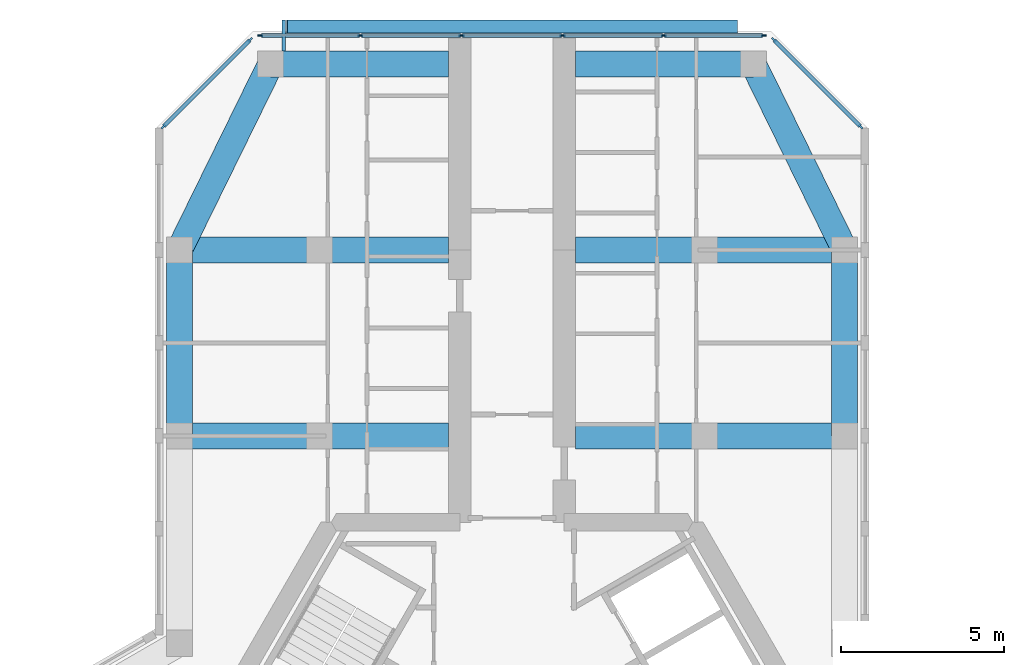
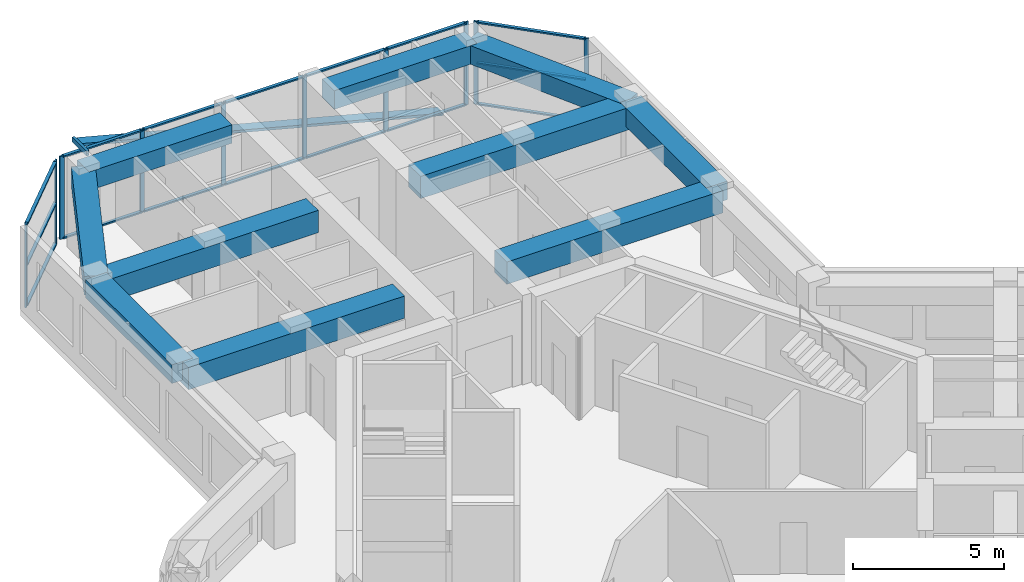
# One storey, part 5 of 14: 28 members, 10 beams, 3 elements without a shape of their own.
"""IFC4 building model written with IfcOpenShell, lengths in metres."""

from ifc_helpers import new_model, si_unit, direction, frame, origin, origin_2d, place, context, subcontext, project, spatial, rectangle, hollow_rectangle, extrude, material, material_profile, profile_set, type_object, element, aggregate, save


model = new_model("IFC4")

# Units and contexts
model_context = context("Model", 3, precision=1e-05, world=origin(), true_north=direction((0.0, 1.0)))
body_context = subcontext(model_context, "Body", "Model", "MODEL_VIEW")
ifc_project = project(units=[si_unit("LENGTHUNIT", "METRE"), si_unit("AREAUNIT", "SQUARE_METRE"), si_unit("VOLUMEUNIT", "CUBIC_METRE"), si_unit("PLANEANGLEUNIT", "RADIAN"), si_unit("MASSUNIT", "GRAM", prefix="KILO")], contexts=[model_context])

# Site, building, storey
site_placement = place(None, origin())
site = spatial("IfcSite", under=ifc_project, at=site_placement, CompositionType="ELEMENT")
building_placement = place(site_placement, origin())
building = spatial("IfcBuilding", under=site, at=building_placement, Name="Kosmar Iwan School Tower", CompositionType="ELEMENT")
storey_placement = place(building_placement, frame((0.0, 0.0, 271.0)))
storey = spatial("IfcBuildingStorey", under=building, at=storey_placement, Name="L68", CompositionType="ELEMENT", Elevation=271.0)

# Members
ifc_material_1 = material(Name="Black anodised aluminium", Category="aluminium")
ifc_material_profile_1 = material_profile(ifc_material_1, rectangle(XDim=0.10009765625, YDim=0.39990234375, at=origin_2d()), Name="FIN 100x400")
ifc_profile_set_1 = profile_set([ifc_material_profile_1], Name="Black anodised aluminium")
member_type_1 = type_object("IfcMemberType", Name="Diagonal fin 100x400", PredefinedType="USERDEFINED", material=ifc_profile_set_1)
member_1_placement = place(storey_placement, frame((6.898193359375, 24.800048828125, -0.14990234375), z_axis=(-0.967603633438, 0.0, 0.252474174041), x_axis=(0.252474174041, 0.0, 0.967603633438)))
element("IfcMember", 1, at=member_1_placement, inside=storey, type_object=member_type_1, Name="Diagonal fin L68-F08", ObjectType="FIN", PredefinedType="USERDEFINED", context=body_context, shape_type="SweptSolid", body=[
    extrude(rectangle(XDim=0.10009765625, YDim=0.39990234375, at=origin_2d()), origin(), (0.0, 0.0, 1.0), 14.25830078125),
])
ifc_material_2 = material(Name="Steel S355", Category="steel")
ifc_material_profile_2 = material_profile(ifc_material_2, hollow_rectangle(XDim=0.10009765625, YDim=0.199951171875, WallThickness=0.008056640625, at=origin_2d()), Name="RHS 200x100x8")
ifc_profile_set_2 = profile_set([ifc_material_profile_2], Name="Steel S355")
member_type_2 = type_object("IfcMemberType", Name="Fin bracket RHS 200x100", PredefinedType="USERDEFINED", material=ifc_profile_set_2)
member_2_placement = place(storey_placement, frame((-7.0, 24.050048828125, 3.47509765625), z_axis=(0.0, 1.0, 0.0), x_axis=(-1.0, 0.0, 0.0)))
element("IfcMember", 2, at=member_2_placement, inside=storey, type_object=member_type_2, Name="Fin bracket L69", ObjectType="FIN BRACKET", PredefinedType="USERDEFINED", context=body_context, shape_type="SweptSolid", body=[
    extrude(hollow_rectangle(XDim=0.10009765625, YDim=0.199951171875, WallThickness=0.008056640625, at=origin_2d()), origin(), (0.0, 0.0, 1.0), 0.949951171875),
])

# Curtain wall, members
ifc_material_3 = material(Name="Dark glass in black aluminium frame", Category="aluminium")
curtain_wall_type_1 = type_object("IfcCurtainWallType", Name="Chamfer curtain wall dark glass", PredefinedType="USERDEFINED", material=ifc_material_3)
curtain_wall_1_placement = place(storey_placement, origin())
curtain_wall_1 = element("IfcCurtainWall", 3, at=curtain_wall_1_placement, inside=storey, type_object=curtain_wall_type_1, Name="Curtain wall L68-F07", ObjectType="FACETED CURTAIN WALL", PredefinedType="USERDEFINED")
ifc_material_4 = material(Name="Black anodised aluminium", Category="aluminium")
ifc_material_profile_3 = material_profile(ifc_material_4, rectangle(XDim=0.06005859375, YDim=0.159912109375, at=origin_2d()), Name="MULLION 60x160")
ifc_profile_set_3 = profile_set([ifc_material_profile_3], Name="Black anodised aluminium")
member_type_3 = type_object("IfcMemberType", Name="Mullion 60x160", PredefinedType="MULLION", material=ifc_profile_set_3)
member_3_placement = place(storey_placement, frame((10.69775390625, 21.7255859375, 0.0), z_axis=(0.0, 0.0, 1.0), x_axis=(-0.707106781187, -0.707106781187, 0.0)))
member_3 = element("IfcMember", 4, at=member_3_placement, type_object=member_type_3, Name="CW2 mullion 1", PredefinedType="MULLION", context=body_context, shape_type="SweptSolid", body=[
    extrude(rectangle(XDim=0.06005859375, YDim=0.159912109375, at=origin_2d()), origin(), (0.0, 0.0, 1.0), 3.35009765625),
])
member_4_placement = place(storey_placement, frame((8.025390625, 24.397705078125, 0.0), z_axis=(0.0, 0.0, 1.0), x_axis=(-0.707106781187, -0.707106781187, 0.0)))
member_4 = element("IfcMember", 5, at=member_4_placement, type_object=member_type_3, Name="CW2 mullion 2", PredefinedType="MULLION", context=body_context, shape_type="SweptSolid", body=[
    extrude(rectangle(XDim=0.06005859375, YDim=0.159912109375, at=origin_2d()), origin(), (0.0, 0.0, 1.0), 3.35009765625),
])

ifc_material_5 = material(Name="Dark glass in black aluminium frame", Category="aluminium")
curtain_wall_type_2 = type_object("IfcCurtainWallType", Name="Tower curtain wall dark glass", PredefinedType="USERDEFINED", material=ifc_material_5)
curtain_wall_2_placement = place(storey_placement, origin())
curtain_wall_2 = element("IfcCurtainWall", 6, at=curtain_wall_2_placement, inside=storey, type_object=curtain_wall_type_2, Name="Curtain wall L68-F08", ObjectType="UNITISED CURTAIN WALL", PredefinedType="USERDEFINED")
member_5_placement = place(storey_placement, frame((7.71826171875, 24.52490234375, 0.0), z_axis=(0.0, 0.0, 1.0), x_axis=(0.0, -1.0, 0.0)))
member_5 = element("IfcMember", 7, at=member_5_placement, type_object=member_type_3, Name="CW1 mullion 1", PredefinedType="MULLION", context=body_context, shape_type="SweptSolid", body=[
    extrude(rectangle(XDim=0.06005859375, YDim=0.159912109375, at=origin_2d()), origin(), (0.0, 0.0, 1.0), 3.35009765625),
])
member_6_placement = place(storey_placement, frame((4.64892578125, 24.52490234375, 0.0), z_axis=(0.0, 0.0, 1.0), x_axis=(0.0, -1.0, 0.0)))
member_6 = element("IfcMember", 8, at=member_6_placement, type_object=member_type_3, Name="CW1 mullion 2", PredefinedType="MULLION", context=body_context, shape_type="SweptSolid", body=[
    extrude(rectangle(XDim=0.06005859375, YDim=0.159912109375, at=origin_2d()), origin(), (0.0, 0.0, 1.0), 3.35009765625),
])
member_7_placement = place(storey_placement, frame((1.549560546875, 24.52490234375, 0.0), z_axis=(0.0, 0.0, 1.0), x_axis=(0.0, -1.0, 0.0)))
member_7 = element("IfcMember", 9, at=member_7_placement, type_object=member_type_3, Name="CW1 mullion 3", PredefinedType="MULLION", context=body_context, shape_type="SweptSolid", body=[
    extrude(rectangle(XDim=0.06005859375, YDim=0.159912109375, at=origin_2d()), origin(), (0.0, 0.0, 1.0), 3.35009765625),
])
member_8_placement = place(storey_placement, frame((-1.549560546875, 24.52490234375, 0.0), z_axis=(0.0, 0.0, 1.0), x_axis=(0.0, -1.0, 0.0)))
member_8 = element("IfcMember", 10, at=member_8_placement, type_object=member_type_3, Name="CW1 mullion 4", PredefinedType="MULLION", context=body_context, shape_type="SweptSolid", body=[
    extrude(rectangle(XDim=0.06005859375, YDim=0.159912109375, at=origin_2d()), origin(), (0.0, 0.0, 1.0), 3.35009765625),
])
member_9_placement = place(storey_placement, frame((-4.64892578125, 24.52490234375, 0.0), z_axis=(0.0, 0.0, 1.0), x_axis=(0.0, -1.0, 0.0)))
member_9 = element("IfcMember", 11, at=member_9_placement, type_object=member_type_3, Name="CW1 mullion 5", PredefinedType="MULLION", context=body_context, shape_type="SweptSolid", body=[
    extrude(rectangle(XDim=0.06005859375, YDim=0.159912109375, at=origin_2d()), origin(), (0.0, 0.0, 1.0), 3.35009765625),
])
member_10_placement = place(storey_placement, frame((-7.71826171875, 24.52490234375, 0.0), z_axis=(0.0, 0.0, 1.0), x_axis=(0.0, -1.0, 0.0)))
member_10 = element("IfcMember", 12, at=member_10_placement, type_object=member_type_3, Name="CW1 mullion 6", PredefinedType="MULLION", context=body_context, shape_type="SweptSolid", body=[
    extrude(rectangle(XDim=0.06005859375, YDim=0.159912109375, at=origin_2d()), origin(), (0.0, 0.0, 1.0), 3.35009765625),
])

curtain_wall_3_placement = place(storey_placement, origin())
curtain_wall_3 = element("IfcCurtainWall", 13, at=curtain_wall_3_placement, inside=storey, type_object=curtain_wall_type_1, Name="Curtain wall L68-F09", ObjectType="FACETED CURTAIN WALL", PredefinedType="USERDEFINED")
member_11_placement = place(storey_placement, frame((-8.025390625, 24.397705078125, 0.0), z_axis=(0.0, 0.0, 1.0), x_axis=(0.707106781187, -0.707106781187, 0.0)))
member_11 = element("IfcMember", 14, at=member_11_placement, type_object=member_type_3, Name="CW2 mullion 1", PredefinedType="MULLION", context=body_context, shape_type="SweptSolid", body=[
    extrude(rectangle(XDim=0.06005859375, YDim=0.159912109375, at=origin_2d()), origin(), (0.0, 0.0, 1.0), 3.35009765625),
])
member_12_placement = place(storey_placement, frame((-10.69775390625, 21.7255859375, 0.0), z_axis=(0.0, 0.0, 1.0), x_axis=(0.707106781187, -0.707106781187, 0.0)))
member_12 = element("IfcMember", 15, at=member_12_placement, type_object=member_type_3, Name="CW2 mullion 2", PredefinedType="MULLION", context=body_context, shape_type="SweptSolid", body=[
    extrude(rectangle(XDim=0.06005859375, YDim=0.159912109375, at=origin_2d()), origin(), (0.0, 0.0, 1.0), 3.35009765625),
])

# Beams
ifc_material_6 = material(Name="Concrete C50/60", Category="concrete")
ifc_material_profile_4 = material_profile(ifc_material_6, rectangle(XDim=0.800048828125, YDim=0.75, at=origin_2d()), Name="RC 800x750")
ifc_profile_set_4 = profile_set([ifc_material_profile_4], Name="Concrete C50/60")
beam_type_1 = type_object("IfcBeamType", Name="RC edge beam 800x750", PredefinedType="BEAM", material=ifc_profile_set_4)
for number, where, z_axis, x_axis, name in (
    (16, (-10.199951171875, 12.25, 2.97509765625), (0.0, 1.0, 0.0), (-1.0, 0.0, 0.0), "Edge beam AL2"),
    (17, (10.199951171875, 12.25, 2.97509765625), (0.0, 1.0, 0.0), (-1.0, 0.0, 0.0), "Edge beam AR2"),
):
    element("IfcBeam", number, at=place(storey_placement, frame(where, z_axis=z_axis, x_axis=x_axis)), inside=storey, type_object=beam_type_1, Name=name, PredefinedType="BEAM", context=body_context, shape_type="SweptSolid", body=[
        extrude(rectangle(XDim=0.800048828125, YDim=0.75, at=origin_2d()), origin(), (0.0, 0.0, 1.0), 5.699951171875),
    ])
ifc_material_7 = material(Name="Concrete C50/60", Category="concrete")
ifc_material_profile_5 = material_profile(ifc_material_7, rectangle(XDim=0.800048828125, YDim=0.75, at=origin_2d()), Name="RC 800x750")
ifc_profile_set_5 = profile_set([ifc_material_profile_5], Name="Concrete C50/60")
beam_type_2 = type_object("IfcBeamType", Name="RC tip beam 800x750", PredefinedType="BEAM", material=ifc_profile_set_5)
beam_1_placement = place(storey_placement, frame((-10.199951171875, 17.949951171875, 2.97509765625), z_axis=(0.440913116462, 0.897549788999, 0.0), x_axis=(-0.897549788999, 0.440913116462, 0.0)))
element("IfcBeam", 18, at=beam_1_placement, inside=storey, type_object=beam_type_2, Name="Tip beam AL", PredefinedType="BEAM", context=body_context, shape_type="SweptSolid", body=[
    extrude(rectangle(XDim=0.800048828125, YDim=0.75, at=origin_2d()), origin(), (0.0, 0.0, 1.0), 6.3505859375),
])
beam_2_placement = place(storey_placement, frame((-7.39990234375, 23.64990234375, 2.97509765625), z_axis=(1.0, 0.0, 0.0), x_axis=(0.0, 1.0, 0.0)))
element("IfcBeam", 19, at=beam_2_placement, inside=storey, type_object=beam_type_2, Name="Tip beam AL to corridor wall", PredefinedType="BEAM", context=body_context, shape_type="SweptSolid", body=[
    extrude(rectangle(XDim=0.800048828125, YDim=0.75, at=origin_2d()), origin(), (0.0, 0.0, 1.0), 5.449951171875),
])
beam_3_placement = place(storey_placement, frame((10.199951171875, 17.949951171875, 2.97509765625), z_axis=(-0.440913116462, 0.897549788999, 0.0), x_axis=(-0.897549788999, -0.440913116462, 0.0)))
element("IfcBeam", 20, at=beam_3_placement, inside=storey, type_object=beam_type_2, Name="Tip beam AR", PredefinedType="BEAM", context=body_context, shape_type="SweptSolid", body=[
    extrude(rectangle(XDim=0.800048828125, YDim=0.75, at=origin_2d()), origin(), (0.0, 0.0, 1.0), 6.3505859375),
])
beam_4_placement = place(storey_placement, frame((7.39990234375, 23.64990234375, 2.97509765625), z_axis=(-1.0, 0.0, 0.0), x_axis=(0.0, -1.0, 0.0)))
element("IfcBeam", 21, at=beam_4_placement, inside=storey, type_object=beam_type_2, Name="Tip beam AR to corridor wall", PredefinedType="BEAM", context=body_context, shape_type="SweptSolid", body=[
    extrude(rectangle(XDim=0.800048828125, YDim=0.75, at=origin_2d()), origin(), (0.0, 0.0, 1.0), 5.449951171875),
])
ifc_material_8 = material(Name="Concrete C50/60", Category="concrete")
ifc_material_profile_6 = material_profile(ifc_material_8, rectangle(XDim=0.800048828125, YDim=0.89990234375, at=origin_2d()), Name="RC 800x900")
ifc_profile_set_6 = profile_set([ifc_material_profile_6], Name="Concrete C50/60")
beam_type_3 = type_object("IfcBeamType", Name="RC transverse beam 800x900", PredefinedType="BEAM", material=ifc_profile_set_6)
for number, where, z_axis, x_axis, name in (
    (22, (-10.199951171875, 12.25, 2.89990234375), (1.0, 0.0, 0.0), (0.0, 1.0, 0.0), "Transverse beam AL1"),
    (23, (-10.199951171875, 17.949951171875, 2.89990234375), (1.0, 0.0, 0.0), (0.0, 1.0, 0.0), "Transverse beam AL2"),
    (24, (10.199951171875, 12.25, 2.89990234375), (-1.0, 0.0, 0.0), (0.0, -1.0, 0.0), "Transverse beam AR1"),
    (25, (10.199951171875, 17.949951171875, 2.89990234375), (-1.0, 0.0, 0.0), (0.0, -1.0, 0.0), "Transverse beam AR2"),
):
    element("IfcBeam", number, at=place(storey_placement, frame(where, z_axis=z_axis, x_axis=x_axis)), inside=storey, type_object=beam_type_3, Name=name, PredefinedType="BEAM", context=body_context, shape_type="SweptSolid", body=[
        extrude(rectangle(XDim=0.800048828125, YDim=0.89990234375, at=origin_2d()), origin(), (0.0, 0.0, 1.0), 8.25),
    ])

# Member
ifc_material_9 = material(Name="Black anodised aluminium", Category="aluminium")
ifc_material_profile_7 = material_profile(ifc_material_9, rectangle(XDim=0.1201171875, YDim=0.06005859375, at=origin_2d()), Name="TRANSOM 60x120")
ifc_profile_set_7 = profile_set([ifc_material_profile_7], Name="Black anodised aluminium")
member_type_4 = type_object("IfcMemberType", Name="Transom 60x120", PredefinedType="USERDEFINED", material=ifc_profile_set_7)
member_13_placement = place(storey_placement, frame((10.676513671875, 21.746826171875, 0.030029296875), z_axis=(-0.707139603466, 0.707073957383, 0.0), x_axis=(-0.707073957383, -0.707139603466, 0.0)))
member_13 = element("IfcMember", 26, at=member_13_placement, type_object=member_type_4, Name="CW2 transom 1.1", ObjectType="TRANSOM", PredefinedType="USERDEFINED", context=body_context, shape_type="SweptSolid", body=[
    extrude(rectangle(XDim=0.1201171875, YDim=0.06005859375, at=origin_2d()), origin(), (0.0, 0.0, 1.0), 3.718994140625),
])

member_14_placement = place(storey_placement, frame((10.676513671875, 21.746826171875, 1.675048828125), z_axis=(-0.707139603466, 0.707073957383, 0.0), x_axis=(-0.707073957383, -0.707139603466, 0.0)))
member_14 = element("IfcMember", 27, at=member_14_placement, type_object=member_type_4, Name="CW2 transom 1.2", ObjectType="TRANSOM", PredefinedType="USERDEFINED", context=body_context, shape_type="SweptSolid", body=[
    extrude(rectangle(XDim=0.1201171875, YDim=0.06005859375, at=origin_2d()), origin(), (0.0, 0.0, 1.0), 3.718994140625),
])

member_15_placement = place(storey_placement, frame((10.676513671875, 21.746826171875, 3.320068359375), z_axis=(-0.707139603466, 0.707073957383, 0.0), x_axis=(-0.707073957383, -0.707139603466, 0.0)))
member_15 = element("IfcMember", 28, at=member_15_placement, type_object=member_type_4, Name="CW2 transom 1.3", ObjectType="TRANSOM", PredefinedType="USERDEFINED", context=body_context, shape_type="SweptSolid", body=[
    extrude(rectangle(XDim=0.1201171875, YDim=0.06005859375, at=origin_2d()), origin(), (0.0, 0.0, 1.0), 3.718994140625),
])

aggregate(curtain_wall_1, [member_3, member_4, member_13, member_14, member_15])

member_16_placement = place(storey_placement, frame((7.688232421875, 24.52490234375, 0.030029296875), z_axis=(-1.0, 0.0, 0.0), x_axis=(0.0, -1.0, 0.0)))
member_16 = element("IfcMember", 29, at=member_16_placement, type_object=member_type_4, Name="CW1 transom 1.1", ObjectType="TRANSOM", PredefinedType="USERDEFINED", context=body_context, shape_type="SweptSolid", body=[
    extrude(rectangle(XDim=0.1201171875, YDim=0.06005859375, at=origin_2d()), origin(), (0.0, 0.0, 1.0), 3.00927734375),
])

member_17_placement = place(storey_placement, frame((7.688232421875, 24.52490234375, 3.320068359375), z_axis=(-1.0, 0.0, 0.0), x_axis=(0.0, -1.0, 0.0)))
member_17 = element("IfcMember", 30, at=member_17_placement, type_object=member_type_4, Name="CW1 transom 1.2", ObjectType="TRANSOM", PredefinedType="USERDEFINED", context=body_context, shape_type="SweptSolid", body=[
    extrude(rectangle(XDim=0.1201171875, YDim=0.06005859375, at=origin_2d()), origin(), (0.0, 0.0, 1.0), 3.00927734375),
])

member_18_placement = place(storey_placement, frame((4.618896484375, 24.52490234375, 0.030029296875), z_axis=(-1.0, 0.0, 0.0), x_axis=(0.0, -1.0, 0.0)))
member_18 = element("IfcMember", 31, at=member_18_placement, type_object=member_type_4, Name="CW1 transom 2.1", ObjectType="TRANSOM", PredefinedType="USERDEFINED", context=body_context, shape_type="SweptSolid", body=[
    extrude(rectangle(XDim=0.1201171875, YDim=0.06005859375, at=origin_2d()), origin(), (0.0, 0.0, 1.0), 3.039306640625),
])

member_19_placement = place(storey_placement, frame((4.618896484375, 24.52490234375, 3.320068359375), z_axis=(-1.0, 0.0, 0.0), x_axis=(0.0, -1.0, 0.0)))
member_19 = element("IfcMember", 32, at=member_19_placement, type_object=member_type_4, Name="CW1 transom 2.2", ObjectType="TRANSOM", PredefinedType="USERDEFINED", context=body_context, shape_type="SweptSolid", body=[
    extrude(rectangle(XDim=0.1201171875, YDim=0.06005859375, at=origin_2d()), origin(), (0.0, 0.0, 1.0), 3.039306640625),
])

member_20_placement = place(storey_placement, frame((1.51953125, 24.52490234375, 0.030029296875), z_axis=(-1.0, 0.0, 0.0), x_axis=(0.0, -1.0, 0.0)))
member_20 = element("IfcMember", 33, at=member_20_placement, type_object=member_type_4, Name="CW1 transom 3.1", ObjectType="TRANSOM", PredefinedType="USERDEFINED", context=body_context, shape_type="SweptSolid", body=[
    extrude(rectangle(XDim=0.1201171875, YDim=0.06005859375, at=origin_2d()), origin(), (0.0, 0.0, 1.0), 3.0390625),
])

member_21_placement = place(storey_placement, frame((1.51953125, 24.52490234375, 3.320068359375), z_axis=(-1.0, 0.0, 0.0), x_axis=(0.0, -1.0, 0.0)))
member_21 = element("IfcMember", 34, at=member_21_placement, type_object=member_type_4, Name="CW1 transom 3.2", ObjectType="TRANSOM", PredefinedType="USERDEFINED", context=body_context, shape_type="SweptSolid", body=[
    extrude(rectangle(XDim=0.1201171875, YDim=0.06005859375, at=origin_2d()), origin(), (0.0, 0.0, 1.0), 3.0390625),
])

member_22_placement = place(storey_placement, frame((-1.57958984375, 24.52490234375, 0.030029296875), z_axis=(-1.0, 0.0, 0.0), x_axis=(0.0, -1.0, 0.0)))
member_22 = element("IfcMember", 35, at=member_22_placement, type_object=member_type_4, Name="CW1 transom 4.1", ObjectType="TRANSOM", PredefinedType="USERDEFINED", context=body_context, shape_type="SweptSolid", body=[
    extrude(rectangle(XDim=0.1201171875, YDim=0.06005859375, at=origin_2d()), origin(), (0.0, 0.0, 1.0), 3.039306640625),
])

member_23_placement = place(storey_placement, frame((-1.57958984375, 24.52490234375, 3.320068359375), z_axis=(-1.0, 0.0, 0.0), x_axis=(0.0, -1.0, 0.0)))
member_23 = element("IfcMember", 36, at=member_23_placement, type_object=member_type_4, Name="CW1 transom 4.2", ObjectType="TRANSOM", PredefinedType="USERDEFINED", context=body_context, shape_type="SweptSolid", body=[
    extrude(rectangle(XDim=0.1201171875, YDim=0.06005859375, at=origin_2d()), origin(), (0.0, 0.0, 1.0), 3.039306640625),
])

member_24_placement = place(storey_placement, frame((-4.678955078125, 24.52490234375, 0.030029296875), z_axis=(-1.0, 0.0, 0.0), x_axis=(0.0, -1.0, 0.0)))
member_24 = element("IfcMember", 37, at=member_24_placement, type_object=member_type_4, Name="CW1 transom 5.1", ObjectType="TRANSOM", PredefinedType="USERDEFINED", context=body_context, shape_type="SweptSolid", body=[
    extrude(rectangle(XDim=0.1201171875, YDim=0.06005859375, at=origin_2d()), origin(), (0.0, 0.0, 1.0), 3.00927734375),
])

member_25_placement = place(storey_placement, frame((-4.678955078125, 24.52490234375, 3.320068359375), z_axis=(-1.0, 0.0, 0.0), x_axis=(0.0, -1.0, 0.0)))
member_25 = element("IfcMember", 38, at=member_25_placement, type_object=member_type_4, Name="CW1 transom 5.2", ObjectType="TRANSOM", PredefinedType="USERDEFINED", context=body_context, shape_type="SweptSolid", body=[
    extrude(rectangle(XDim=0.1201171875, YDim=0.06005859375, at=origin_2d()), origin(), (0.0, 0.0, 1.0), 3.00927734375),
])

aggregate(curtain_wall_2, [member_5, member_6, member_7, member_8, member_9, member_10, member_16, member_17, member_18, member_19, member_20, member_21, member_22, member_23, member_24, member_25])

member_26_placement = place(storey_placement, frame((-8.046630859375, 24.37646484375, 0.030029296875), z_axis=(-0.707139603466, -0.707073957383, 0.0), x_axis=(0.707073957383, -0.707139603466, 0.0)))
member_26 = element("IfcMember", 39, at=member_26_placement, type_object=member_type_4, Name="CW2 transom 1.1", ObjectType="TRANSOM", PredefinedType="USERDEFINED", context=body_context, shape_type="SweptSolid", body=[
    extrude(rectangle(XDim=0.1201171875, YDim=0.06005859375, at=origin_2d()), origin(), (0.0, 0.0, 1.0), 3.718994140625),
])

member_27_placement = place(storey_placement, frame((-8.046630859375, 24.37646484375, 1.675048828125), z_axis=(-0.707139603466, -0.707073957383, 0.0), x_axis=(0.707073957383, -0.707139603466, 0.0)))
member_27 = element("IfcMember", 40, at=member_27_placement, type_object=member_type_4, Name="CW2 transom 1.2", ObjectType="TRANSOM", PredefinedType="USERDEFINED", context=body_context, shape_type="SweptSolid", body=[
    extrude(rectangle(XDim=0.1201171875, YDim=0.06005859375, at=origin_2d()), origin(), (0.0, 0.0, 1.0), 3.718994140625),
])

member_28_placement = place(storey_placement, frame((-8.046630859375, 24.37646484375, 3.320068359375), z_axis=(-0.707139603466, -0.707073957383, 0.0), x_axis=(0.707073957383, -0.707139603466, 0.0)))
member_28 = element("IfcMember", 41, at=member_28_placement, type_object=member_type_4, Name="CW2 transom 1.3", ObjectType="TRANSOM", PredefinedType="USERDEFINED", context=body_context, shape_type="SweptSolid", body=[
    extrude(rectangle(XDim=0.1201171875, YDim=0.06005859375, at=origin_2d()), origin(), (0.0, 0.0, 1.0), 3.718994140625),
])

aggregate(curtain_wall_3, [member_11, member_12, member_26, member_27, member_28])

save(model, "model.ifc")
